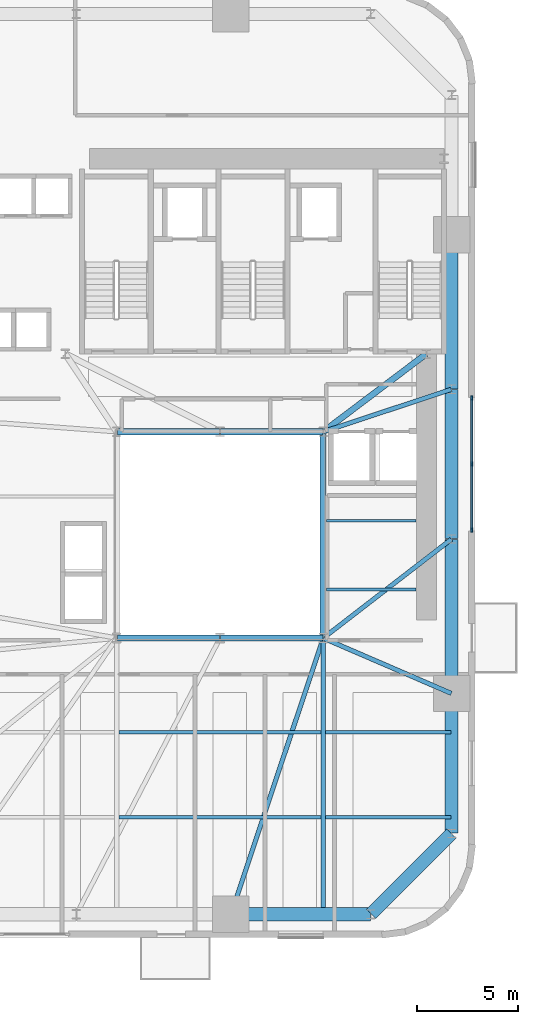
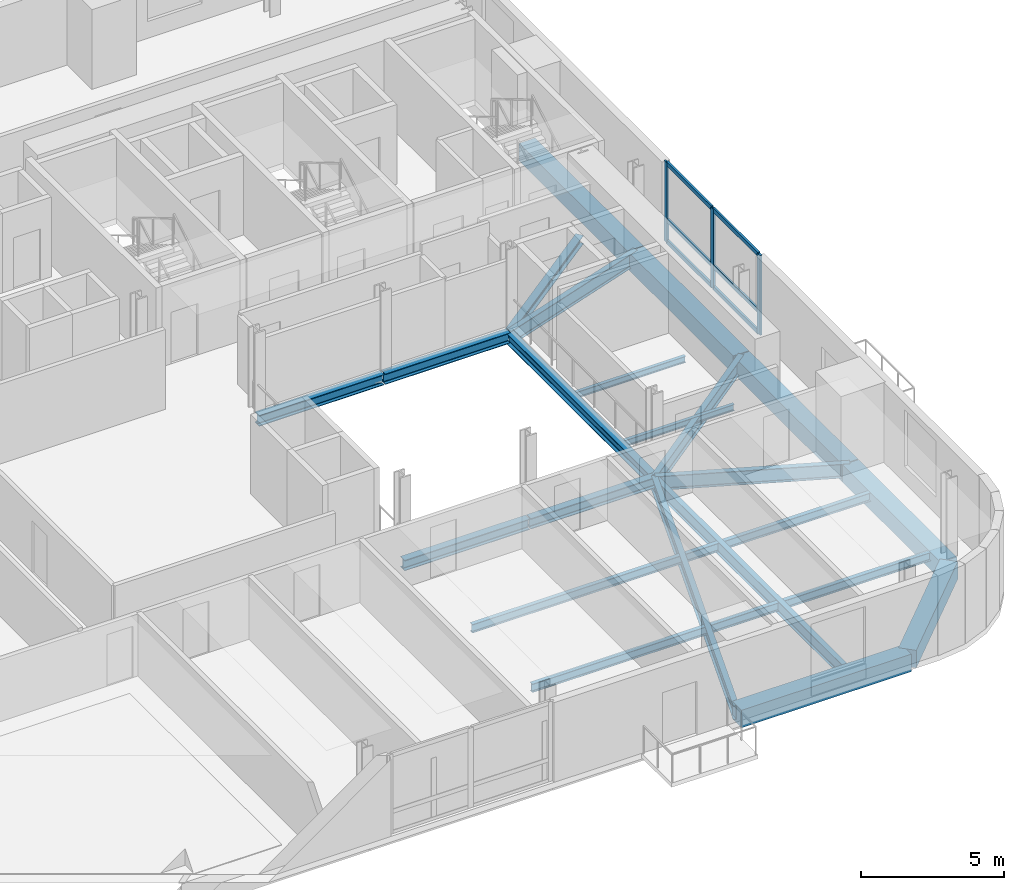
# One storey, part 3 of 13: 23 beams, 9 members, 1 element without a shape of its own.
"""IFC4 building model written with IfcOpenShell, lengths in metres."""

from ifc_helpers import new_model, si_unit, direction, frame, origin, origin_2d, place, context, subcontext, project, spatial, rectangle, i_section, extrude, source, transform, mapped, material, material_profile, profile_set, type_object, element, aggregate, save


model = new_model("IFC4")

# Units and contexts
model_context = context("Model", 3, precision=1e-05, world=origin(), true_north=direction((0.0, 1.0)))
body_context = subcontext(model_context, "Body", "Model", "MODEL_VIEW")
ifc_project = project(units=[si_unit("LENGTHUNIT", "METRE"), si_unit("AREAUNIT", "SQUARE_METRE"), si_unit("VOLUMEUNIT", "CUBIC_METRE"), si_unit("PLANEANGLEUNIT", "RADIAN"), si_unit("MASSUNIT", "GRAM", prefix="KILO")], contexts=[model_context])

# Site, building, storey
site_placement = place(None, origin())
site = spatial("IfcSite", under=ifc_project, at=site_placement, CompositionType="ELEMENT")
building_placement = place(site_placement, origin())
building = spatial("IfcBuilding", under=site, at=building_placement, Name="Vardaveli Station Tower", CompositionType="ELEMENT")
storey_placement = place(building_placement, frame((0.0, 0.0, 82.35009765625)))
storey = spatial("IfcBuildingStorey", under=building, at=storey_placement, Name="L21", CompositionType="ELEMENT", Elevation=82.35009765625)

# Beams
ifc_material_1 = material(Name="Structural steel S355J2", Category="steel")
ifc_material_profile_1 = material_profile(ifc_material_1, i_section(OverallWidth=0.300048828125, OverallDepth=0.449951171875, WebThickness=0.013916015625, FlangeThickness=0.02587890625, FilletRadius=0.027099609375, at=origin_2d()), Name="HEB 450")
ifc_profile_set_1 = profile_set([ifc_material_profile_1], Name="Structural steel S355J2")
beam_type_1 = type_object("IfcBeamType", Name="BM-HEB450", PredefinedType="BEAM", material=ifc_profile_set_1)
shared_shape_1 = source(origin(), body_context, "Body", "SweptSolid", [
    extrude(i_section(OverallWidth=0.300048828125, OverallDepth=0.449951171875, WebThickness=0.013916015625, FlangeThickness=0.02587890625, FilletRadius=0.027099609375, at=origin_2d()), origin(), (0.0, 0.0, 1.0), 5.06005859375),
])
for number, where, z_axis, x_axis, name in (
    (1, (31.219970703125, 16.60009765625, -0.465087890625), (1.0, 0.0, 0.0), (0.0, 1.0, 0.0), "ABM-L21-01"),
    (2, (36.280029296875, 26.800048828125, -0.465087890625), (-1.0, 0.0, 0.0), (0.0, -1.0, 0.0), "ABM-L21-05"),
):
    element("IfcBeam", number, at=place(storey_placement, frame(where, z_axis=z_axis, x_axis=x_axis)), inside=storey, type_object=beam_type_1, Name=name, PredefinedType="BEAM", context=body_context, shape_type="MappedRepresentation", body=[
        mapped(shared_shape_1, transform((0.0, 0.0, 0.0), scale=1.0)),
    ])
shared_shape_2 = source(origin(), body_context, "Body", "SweptSolid", [
    extrude(i_section(OverallWidth=0.300048828125, OverallDepth=0.449951171875, WebThickness=0.013916015625, FlangeThickness=0.02587890625, FilletRadius=0.027099609375, at=origin_2d()), origin(), (0.0, 0.0, 1.0), 5.059814453125),
])
for number, where, z_axis, x_axis, name in (
    (3, (36.320068359375, 16.60009765625, -0.465087890625), (1.0, 0.0, 0.0), (0.0, 1.0, 0.0), "ABM-L21-02"),
    (4, (41.3798828125, 26.800048828125, -0.465087890625), (-1.0, 0.0, 0.0), (0.0, -1.0, 0.0), "ABM-L21-04"),
):
    element("IfcBeam", number, at=place(storey_placement, frame(where, z_axis=z_axis, x_axis=x_axis)), inside=storey, type_object=beam_type_1, Name=name, PredefinedType="BEAM", context=body_context, shape_type="MappedRepresentation", body=[
        mapped(shared_shape_2, transform((0.0, 0.0, 0.0), scale=1.0)),
    ])
shared_shape_3 = source(origin(), body_context, "Body", "SweptSolid", [
    extrude(i_section(OverallWidth=0.300048828125, OverallDepth=0.449951171875, WebThickness=0.013916015625, FlangeThickness=0.02587890625, FilletRadius=0.027099609375, at=origin_2d()), origin(), (0.0, 0.0, 1.0), 10.159912109375),
])
beam_1_placement = place(storey_placement, frame((41.39990234375, 16.6201171875, -0.465087890625), z_axis=(0.0, 1.0, 0.0), x_axis=(-1.0, 0.0, 0.0)))
element("IfcBeam", 5, at=beam_1_placement, inside=storey, type_object=beam_type_1, Name="ABM-L21-03", PredefinedType="BEAM", context=body_context, shape_type="MappedRepresentation", body=[
    mapped(shared_shape_3, transform((0.0, 0.0, 0.0), scale=1.0)),
])
ifc_material_profile_2 = material_profile(ifc_material_1, i_section(OverallWidth=0.300048828125, OverallDepth=0.360107421875, WebThickness=0.012451171875, FlangeThickness=0.0224609375, FilletRadius=0.027099609375, at=origin_2d()), Name="HEB 360")
ifc_profile_set_2 = profile_set([ifc_material_profile_2], Name="Structural steel S355J2")
beam_type_2 = type_object("IfcBeamType", Name="BM-HEB360", PredefinedType="BEAM", material=ifc_profile_set_2)
shared_shape_4 = source(origin(), body_context, "Body", "SweptSolid", [
    extrude(i_section(OverallWidth=0.300048828125, OverallDepth=0.360107421875, WebThickness=0.012451171875, FlangeThickness=0.0224609375, FilletRadius=0.027099609375, at=origin_2d()), origin(), (0.0, 0.0, 1.0), 6.35009765625),
])
beam_2_placement = place(storey_placement, frame((41.416015625, 26.81201171875, -0.420166015625), z_axis=(0.798118337722, 0.602500721154, 0.0), x_axis=(-0.602500721154, 0.798118337722, 0.0)))
element("IfcBeam", 6, at=beam_2_placement, inside=storey, type_object=beam_type_2, Name="CBM-L21-02", PredefinedType="BEAM", context=body_context, shape_type="MappedRepresentation", body=[
    mapped(shared_shape_4, transform((0.0, 0.0, 0.0), scale=1.0)),
])
ifc_material_2 = material(Name="Precast concrete C45/55", Category="concrete")
ifc_material_profile_3 = material_profile(ifc_material_2, rectangle(XDim=0.64990234375, YDim=0.75, at=origin_2d()), Name="LPB 650x750")
ifc_profile_set_3 = profile_set([ifc_material_profile_3], Name="Precast concrete C45/55")
beam_type_3 = type_object("IfcBeamType", Name="BM-LPB-750", PredefinedType="BEAM", material=ifc_profile_set_3)
shared_shape_5 = source(origin(), body_context, "Body", "SweptSolid", [
    extrude(rectangle(XDim=0.64990234375, YDim=0.75, at=origin_2d()), origin(), (0.0, 0.0, 1.0), 7.60009765625),
])
for number, where, z_axis, x_axis, name in (
    (7, (47.75, 13.8798828125, -0.614990234375), (0.0, 1.0, 0.0), (-1.0, 0.0, 0.0), "RBM-L21-07"),
    (8, (47.75, 28.919921875, -0.614990234375), (0.0, 1.0, 0.0), (-1.0, 0.0, 0.0), "RBM-L21-09"),
):
    element("IfcBeam", number, at=place(storey_placement, frame(where, z_axis=z_axis, x_axis=x_axis)), inside=storey, type_object=beam_type_3, Name=name, PredefinedType="BEAM", context=body_context, shape_type="MappedRepresentation", body=[
        mapped(shared_shape_5, transform((0.0, 0.0, 0.0), scale=1.0)),
    ])
shared_shape_6 = source(origin(), body_context, "Body", "SweptSolid", [
    extrude(rectangle(XDim=0.64990234375, YDim=0.75, at=origin_2d()), origin(), (0.0, 0.0, 1.0), 7.35986328125),
])
beam_3_placement = place(storey_placement, frame((47.75, 21.52001953125, -0.614990234375), z_axis=(0.0, 1.0, 0.0), x_axis=(-1.0, 0.0, 0.0)))
element("IfcBeam", 9, at=beam_3_placement, inside=storey, type_object=beam_type_3, Name="RBM-L21-08", PredefinedType="BEAM", context=body_context, shape_type="MappedRepresentation", body=[
    mapped(shared_shape_6, transform((0.0, 0.0, 0.0), scale=1.0)),
])
shared_shape_7 = source(origin(), body_context, "Body", "SweptSolid", [
    extrude(rectangle(XDim=0.64990234375, YDim=0.75, at=origin_2d()), origin(), (0.0, 0.0, 1.0), 6.869873046875),
])
beam_4_placement = place(storey_placement, frame((36.860107421875, 2.949951171875, -0.614990234375), z_axis=(1.0, 0.0, 0.0), x_axis=(0.0, 1.0, 0.0)))
element("IfcBeam", 10, at=beam_4_placement, inside=storey, type_object=beam_type_3, Name="RBM-L21-04", PredefinedType="BEAM", context=body_context, shape_type="MappedRepresentation", body=[
    mapped(shared_shape_7, transform((0.0, 0.0, 0.0), scale=1.0)),
])
shared_shape_8 = source(origin(), body_context, "Body", "SweptSolid", [
    extrude(rectangle(XDim=0.64990234375, YDim=0.75, at=origin_2d()), origin(), (0.0, 0.0, 1.0), 5.61669921875),
])
beam_5_placement = place(storey_placement, frame((43.76416015625, 2.964111328125, -0.614990234375), z_axis=(0.707106781187, 0.707106781187, 0.0), x_axis=(-0.707106781187, 0.707106781187, 0.0)))
element("IfcBeam", 11, at=beam_5_placement, inside=storey, type_object=beam_type_3, Name="RBM-L21-05", PredefinedType="BEAM", context=body_context, shape_type="MappedRepresentation", body=[
    mapped(shared_shape_8, transform((0.0, 0.0, 0.0), scale=1.0)),
])
shared_shape_9 = source(origin(), body_context, "Body", "SweptSolid", [
    extrude(rectangle(XDim=0.64990234375, YDim=0.75, at=origin_2d()), origin(), (0.0, 0.0, 1.0), 6.8701171875),
])
beam_6_placement = place(storey_placement, frame((47.75, 6.969970703125, -0.614990234375), z_axis=(0.0, 1.0, 0.0), x_axis=(-1.0, 0.0, 0.0)))
element("IfcBeam", 12, at=beam_6_placement, inside=storey, type_object=beam_type_3, Name="RBM-L21-06", PredefinedType="BEAM", context=body_context, shape_type="MappedRepresentation", body=[
    mapped(shared_shape_9, transform((0.0, 0.0, 0.0), scale=1.0)),
])
ifc_material_profile_4 = material_profile(ifc_material_1, i_section(OverallWidth=0.219970703125, OverallDepth=0.60009765625, WebThickness=0.011962890625, FlangeThickness=0.01904296875, FilletRadius=0.02392578125, at=origin_2d()), Name="IPE 600")
ifc_profile_set_4 = profile_set([ifc_material_profile_4], Name="Structural steel S355J2")
beam_type_4 = type_object("IfcBeamType", Name="BM-IPE600", PredefinedType="BEAM", material=ifc_profile_set_4)
shared_shape_10 = source(origin(), body_context, "Body", "SweptSolid", [
    extrude(i_section(OverallWidth=0.219970703125, OverallDepth=0.60009765625, WebThickness=0.011962890625, FlangeThickness=0.01904296875, FilletRadius=0.02392578125, at=origin_2d()), origin(), (0.0, 0.0, 1.0), 14.3515625),
])
beam_7_placement = place(storey_placement, frame((36.846435546875, 2.968994140625, -0.5400390625), z_axis=(0.316840115921, 0.948478961782, 0.0), x_axis=(-0.948478961782, 0.316840115921, 0.0)))
element("IfcBeam", 13, at=beam_7_placement, inside=storey, type_object=beam_type_4, Name="GBM-L21-04", PredefinedType="BEAM", context=body_context, shape_type="MappedRepresentation", body=[
    mapped(shared_shape_10, transform((0.0, 0.0, 0.0), scale=1.0)),
])
shared_shape_11 = source(origin(), body_context, "Body", "SweptSolid", [
    extrude(i_section(OverallWidth=0.219970703125, OverallDepth=0.60009765625, WebThickness=0.011962890625, FlangeThickness=0.01904296875, FilletRadius=0.02392578125, at=origin_2d()), origin(), (0.0, 0.0, 1.0), 6.8759765625),
])
beam_8_placement = place(storey_placement, frame((47.731689453125, 13.867919921875, -0.5400390625), z_axis=(-0.918170694621, 0.396185026899, 0.0), x_axis=(-0.396185026899, -0.918170694621, 0.0)))
element("IfcBeam", 14, at=beam_8_placement, inside=storey, type_object=beam_type_4, Name="GBM-L21-05", PredefinedType="BEAM", context=body_context, shape_type="MappedRepresentation", body=[
    mapped(shared_shape_11, transform((0.0, 0.0, 0.0), scale=1.0)),
])
shared_shape_12 = source(origin(), body_context, "Body", "SweptSolid", [
    extrude(i_section(OverallWidth=0.219970703125, OverallDepth=0.60009765625, WebThickness=0.011962890625, FlangeThickness=0.01904296875, FilletRadius=0.02392578125, at=origin_2d()), origin(), (0.0, 0.0, 1.0), 7.980712890625),
])
beam_9_placement = place(storey_placement, frame((47.734130859375, 21.48779296875, -0.5400390625), z_axis=(-0.791701934907, -0.610907559509, 0.0), x_axis=(0.610907559509, -0.791701934907, 0.0)))
element("IfcBeam", 15, at=beam_9_placement, inside=storey, type_object=beam_type_4, Name="GBM-L21-06", PredefinedType="BEAM", context=body_context, shape_type="MappedRepresentation", body=[
    mapped(shared_shape_12, transform((0.0, 0.0, 0.0), scale=1.0)),
])
shared_shape_13 = source(origin(), body_context, "Body", "SweptSolid", [
    extrude(i_section(OverallWidth=0.219970703125, OverallDepth=0.60009765625, WebThickness=0.011962890625, FlangeThickness=0.01904296875, FilletRadius=0.02392578125, at=origin_2d()), origin(), (0.0, 0.0, 1.0), 6.648193359375),
])
beam_10_placement = place(storey_placement, frame((47.73095703125, 28.893798828125, -0.5400390625), z_axis=(-0.949429779906, -0.313979446824, 0.0), x_axis=(0.313979446824, -0.949429779906, 0.0)))
element("IfcBeam", 16, at=beam_10_placement, inside=storey, type_object=beam_type_4, Name="GBM-L21-07", PredefinedType="BEAM", context=body_context, shape_type="MappedRepresentation", body=[
    mapped(shared_shape_13, transform((0.0, 0.0, 0.0), scale=1.0)),
])
ifc_material_profile_5 = material_profile(ifc_material_1, i_section(OverallWidth=0.2099609375, OverallDepth=0.550048828125, WebThickness=0.010986328125, FlangeThickness=0.01708984375, FilletRadius=0.02392578125, at=origin_2d()), Name="IPE 550")
ifc_profile_set_5 = profile_set([ifc_material_profile_5], Name="Structural steel S355J2")
beam_type_5 = type_object("IfcBeamType", Name="BM-IPE550", PredefinedType="BEAM", material=ifc_profile_set_5)
shared_shape_14 = source(origin(), body_context, "Body", "SweptSolid", [
    extrude(i_section(OverallWidth=0.2099609375, OverallDepth=0.550048828125, WebThickness=0.010986328125, FlangeThickness=0.01708984375, FilletRadius=0.02392578125, at=origin_2d()), origin(), (0.0, 0.0, 1.0), 13.469970703125),
])
beam_11_placement = place(storey_placement, frame((41.39990234375, 2.989990234375, -0.51513671875), z_axis=(0.0, 1.0, 0.0), x_axis=(-1.0, 0.0, 0.0)))
element("IfcBeam", 17, at=beam_11_placement, inside=storey, type_object=beam_type_5, Name="NSM-L21-S2", PredefinedType="BEAM", context=body_context, shape_type="MappedRepresentation", body=[
    mapped(shared_shape_14, transform((0.0, 0.0, 0.0), scale=1.0)),
])
ifc_material_profile_6 = material_profile(ifc_material_1, i_section(OverallWidth=0.169921875, OverallDepth=0.360107421875, WebThickness=0.008056640625, FlangeThickness=0.0126953125, FilletRadius=0.01806640625, at=origin_2d()), Name="IPE 360")
ifc_profile_set_6 = profile_set([ifc_material_profile_6], Name="Structural steel S355J2")
beam_type_6 = type_object("IfcBeamType", Name="BM-IPE360", PredefinedType="JOIST", material=ifc_profile_set_6)
shared_shape_15 = source(origin(), body_context, "Body", "SweptSolid", [
    extrude(i_section(OverallWidth=0.169921875, OverallDepth=0.360107421875, WebThickness=0.008056640625, FlangeThickness=0.0126953125, FilletRadius=0.01806640625, at=origin_2d()), origin(), (0.0, 0.0, 1.0), 9.97607421875),
])
for number, where, z_axis, x_axis, name in (
    (18, (31.31201171875, 7.75, -0.420166015625), (1.0, 0.0, 0.0), (0.0, 1.0, 0.0), "SJ-L21-S02"),
    (19, (31.31201171875, 11.949951171875, -0.420166015625), (1.0, 0.0, 0.0), (0.0, 1.0, 0.0), "SJ-L21-S05"),
):
    element("IfcBeam", number, at=place(storey_placement, frame(where, z_axis=z_axis, x_axis=x_axis)), inside=storey, type_object=beam_type_6, Name=name, PredefinedType="JOIST", context=body_context, shape_type="MappedRepresentation", body=[
        mapped(shared_shape_15, transform((0.0, 0.0, 0.0), scale=1.0)),
    ])
shared_shape_16 = source(origin(), body_context, "Body", "SweptSolid", [
    extrude(i_section(OverallWidth=0.169921875, OverallDepth=0.360107421875, WebThickness=0.008056640625, FlangeThickness=0.0126953125, FilletRadius=0.01806640625, at=origin_2d()), origin(), (0.0, 0.0, 1.0), 6.197998046875),
])
for number, where, z_axis, x_axis, name in (
    (20, (41.511962890625, 7.75, -0.420166015625), (1.0, 0.0, 0.0), (0.0, 1.0, 0.0), "SJ-L21-S03"),
    (21, (41.511962890625, 11.949951171875, -0.420166015625), (1.0, 0.0, 0.0), (0.0, 1.0, 0.0), "SJ-L21-S06"),
):
    element("IfcBeam", number, at=place(storey_placement, frame(where, z_axis=z_axis, x_axis=x_axis)), inside=storey, type_object=beam_type_6, Name=name, PredefinedType="JOIST", context=body_context, shape_type="MappedRepresentation", body=[
        mapped(shared_shape_16, transform((0.0, 0.0, 0.0), scale=1.0)),
    ])
ifc_material_profile_7 = material_profile(ifc_material_1, i_section(OverallWidth=0.135009765625, OverallDepth=0.27001953125, WebThickness=0.006591796875, FlangeThickness=0.01025390625, FilletRadius=0.014892578125, at=origin_2d()), Name="IPE 270")
ifc_profile_set_7 = profile_set([ifc_material_profile_7], Name="Structural steel S355J2")
beam_type_7 = type_object("IfcBeamType", Name="BM-IPE270", PredefinedType="BEAM", material=ifc_profile_set_7)
shared_shape_17 = source(origin(), body_context, "Body", "SweptSolid", [
    extrude(i_section(OverallWidth=0.135009765625, OverallDepth=0.27001953125, WebThickness=0.006591796875, FlangeThickness=0.01025390625, FilletRadius=0.014892578125, at=origin_2d()), origin(), (0.0, 0.0, 1.0), 4.43017578125),
])
for number, where, z_axis, x_axis, name in (
    (22, (41.56494140625, 19.0, -0.375), (1.0, 0.0, 0.0), (0.0, 1.0, 0.0), "TJ-L21-01"),
    (23, (41.56494140625, 22.39990234375, -0.375), (1.0, 0.0, 0.0), (0.0, 1.0, 0.0), "TJ-L21-02"),
):
    element("IfcBeam", number, at=place(storey_placement, frame(where, z_axis=z_axis, x_axis=x_axis)), inside=storey, type_object=beam_type_7, Name=name, PredefinedType="BEAM", context=body_context, shape_type="MappedRepresentation", body=[
        mapped(shared_shape_17, transform((0.0, 0.0, 0.0), scale=1.0)),
    ])

# Curtain wall, members
ifc_material_3 = material(Name="Travertine stone and solar-control glass", Category="masonry")
curtain_wall_type = type_object("IfcCurtainWallType", Name="CW-SYS-2", PredefinedType="NOTDEFINED", material=ifc_material_3)
curtain_wall_placement = place(storey_placement, origin())
curtain_wall = element("IfcCurtainWall", 24, at=curtain_wall_placement, inside=storey, type_object=curtain_wall_type, Name="CW-L21-E", PredefinedType="NOTDEFINED")
ifc_material_4 = material(Name="Anodised aluminium alloy 6063-T6", Category="aluminium")
ifc_material_profile_8 = material_profile(ifc_material_4, rectangle(XDim=0.0849609375, YDim=0.219970703125, at=origin_2d()), Name="CWM 85x220")
ifc_profile_set_8 = profile_set([ifc_material_profile_8], Name="Anodised aluminium alloy 6063-T6")
member_type_1 = type_object("IfcMemberType", Name="CW-SYS-2-MULL", PredefinedType="MULLION", material=ifc_profile_set_8)
shared_shape_18 = source(origin(), body_context, "Body", "SweptSolid", [
    extrude(rectangle(XDim=0.0849609375, YDim=0.219970703125, at=origin_2d()), origin(), (0.0, 0.0, 1.0), 3.409912109375),
])
member_1_placement = place(storey_placement, frame((48.739990234375, 21.9423828125, 0.0), z_axis=(0.0, 0.0, 1.0), x_axis=(-1.0, 0.0, 0.0)))
member_1 = element("IfcMember", 25, at=member_1_placement, type_object=member_type_1, Name="CW-2 mullion 1", PredefinedType="MULLION", context=body_context, shape_type="MappedRepresentation", body=[
    mapped(shared_shape_18, transform((0.0, 0.0, 0.0), scale=1.0)),
])
member_2_placement = place(storey_placement, frame((48.739990234375, 25.199951171875, 0.0), z_axis=(0.0, 0.0, 1.0), x_axis=(-1.0, 0.0, 0.0)))
member_2 = element("IfcMember", 26, at=member_2_placement, type_object=member_type_1, Name="CW-2 mullion 2", PredefinedType="MULLION", context=body_context, shape_type="MappedRepresentation", body=[
    mapped(shared_shape_18, transform((0.0, 0.0, 0.0), scale=1.0)),
])
member_3_placement = place(storey_placement, frame((48.739990234375, 28.45751953125, 0.0), z_axis=(0.0, 0.0, 1.0), x_axis=(-1.0, 0.0, 0.0)))
member_3 = element("IfcMember", 27, at=member_3_placement, type_object=member_type_1, Name="CW-2 mullion 3", PredefinedType="MULLION", context=body_context, shape_type="MappedRepresentation", body=[
    mapped(shared_shape_18, transform((0.0, 0.0, 0.0), scale=1.0)),
])
ifc_material_profile_9 = material_profile(ifc_material_4, rectangle(XDim=0.0849609375, YDim=0.179931640625, at=origin_2d()), Name="CWT 85x180")
ifc_profile_set_9 = profile_set([ifc_material_profile_9], Name="Anodised aluminium alloy 6063-T6")
member_type_2 = type_object("IfcMemberType", Name="CW-SYS-2-TRAN", PredefinedType="NOTDEFINED", material=ifc_profile_set_9)
shared_shape_19 = source(origin(), body_context, "Body", "SweptSolid", [
    extrude(rectangle(XDim=0.0849609375, YDim=0.179931640625, at=origin_2d()), origin(), (0.0, 0.0, 1.0), 3.172607421875),
])
member_4_placement = place(storey_placement, frame((48.739990234375, 25.242431640625, 0.04248046875), z_axis=(0.0, 1.0, 0.0), x_axis=(-1.0, 0.0, 0.0)))
member_4 = element("IfcMember", 28, at=member_4_placement, type_object=member_type_2, Name="CW-2 transom 2.1", ObjectType="TRANSOM", PredefinedType="USERDEFINED", context=body_context, shape_type="MappedRepresentation", body=[
    mapped(shared_shape_19, transform((0.0, 0.0, 0.0), scale=1.0)),
])
member_5_placement = place(storey_placement, frame((48.739990234375, 25.242431640625, 0.949951171875), z_axis=(0.0, 1.0, 0.0), x_axis=(-1.0, 0.0, 0.0)))
member_5 = element("IfcMember", 29, at=member_5_placement, type_object=member_type_2, Name="CW-2 transom 2.2", ObjectType="TRANSOM", PredefinedType="USERDEFINED", context=body_context, shape_type="MappedRepresentation", body=[
    mapped(shared_shape_19, transform((0.0, 0.0, 0.0), scale=1.0)),
])
member_6_placement = place(storey_placement, frame((48.739990234375, 25.242431640625, 3.367431640625), z_axis=(0.0, 1.0, 0.0), x_axis=(-1.0, 0.0, 0.0)))
member_6 = element("IfcMember", 30, at=member_6_placement, type_object=member_type_2, Name="CW-2 transom 2.3", ObjectType="TRANSOM", PredefinedType="USERDEFINED", context=body_context, shape_type="MappedRepresentation", body=[
    mapped(shared_shape_19, transform((0.0, 0.0, 0.0), scale=1.0)),
])
shared_shape_20 = source(origin(), body_context, "Body", "SweptSolid", [
    extrude(rectangle(XDim=0.0849609375, YDim=0.179931640625, at=origin_2d()), origin(), (0.0, 0.0, 1.0), 3.17236328125),
])
member_7_placement = place(storey_placement, frame((48.739990234375, 21.985107421875, 0.04248046875), z_axis=(0.0, 1.0, 0.0), x_axis=(-1.0, 0.0, 0.0)))
member_7 = element("IfcMember", 31, at=member_7_placement, type_object=member_type_2, Name="CW-2 transom 1.1", ObjectType="TRANSOM", PredefinedType="USERDEFINED", context=body_context, shape_type="MappedRepresentation", body=[
    mapped(shared_shape_20, transform((0.0, 0.0, 0.0), scale=1.0)),
])
member_8_placement = place(storey_placement, frame((48.739990234375, 21.985107421875, 0.949951171875), z_axis=(0.0, 1.0, 0.0), x_axis=(-1.0, 0.0, 0.0)))
member_8 = element("IfcMember", 32, at=member_8_placement, type_object=member_type_2, Name="CW-2 transom 1.2", ObjectType="TRANSOM", PredefinedType="USERDEFINED", context=body_context, shape_type="MappedRepresentation", body=[
    mapped(shared_shape_20, transform((0.0, 0.0, 0.0), scale=1.0)),
])
member_9_placement = place(storey_placement, frame((48.739990234375, 21.985107421875, 3.367431640625), z_axis=(0.0, 1.0, 0.0), x_axis=(-1.0, 0.0, 0.0)))
member_9 = element("IfcMember", 33, at=member_9_placement, type_object=member_type_2, Name="CW-2 transom 1.3", ObjectType="TRANSOM", PredefinedType="USERDEFINED", context=body_context, shape_type="MappedRepresentation", body=[
    mapped(shared_shape_20, transform((0.0, 0.0, 0.0), scale=1.0)),
])
aggregate(curtain_wall, [member_1, member_2, member_3, member_7, member_8, member_9, member_4, member_5, member_6])

save(model, "model.ifc")
